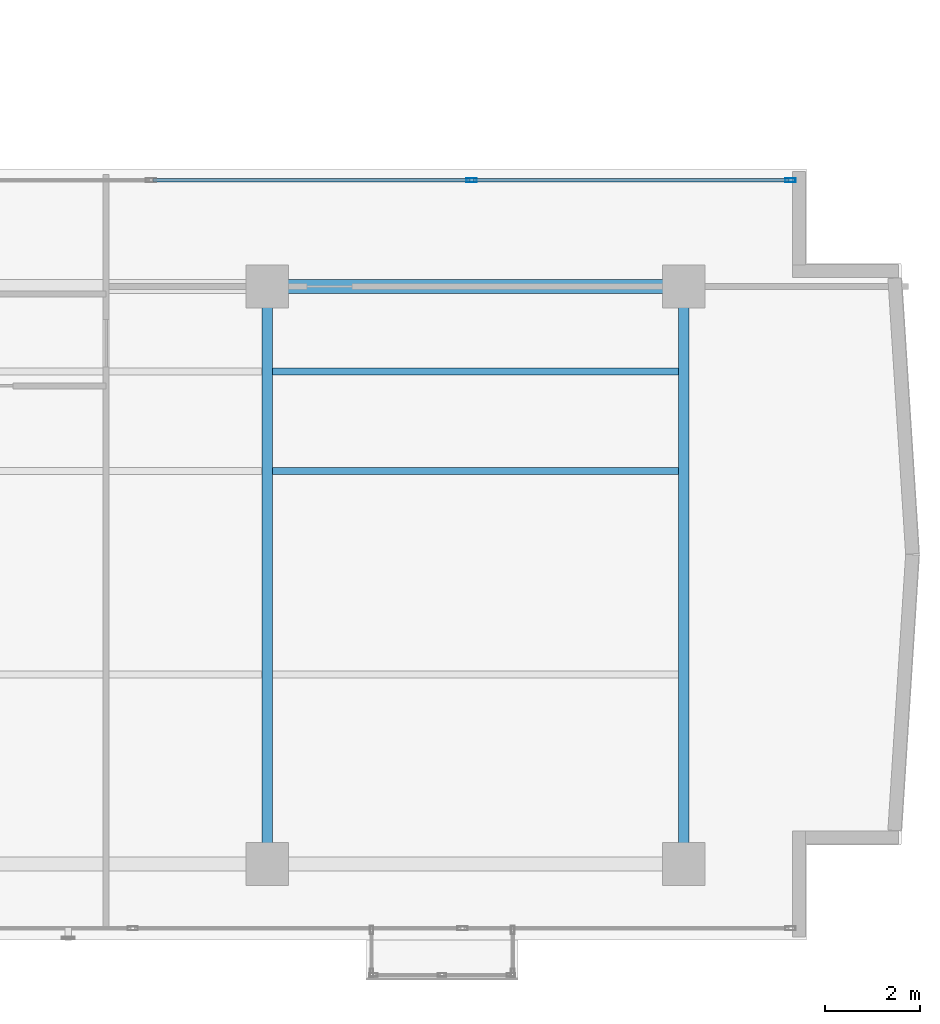
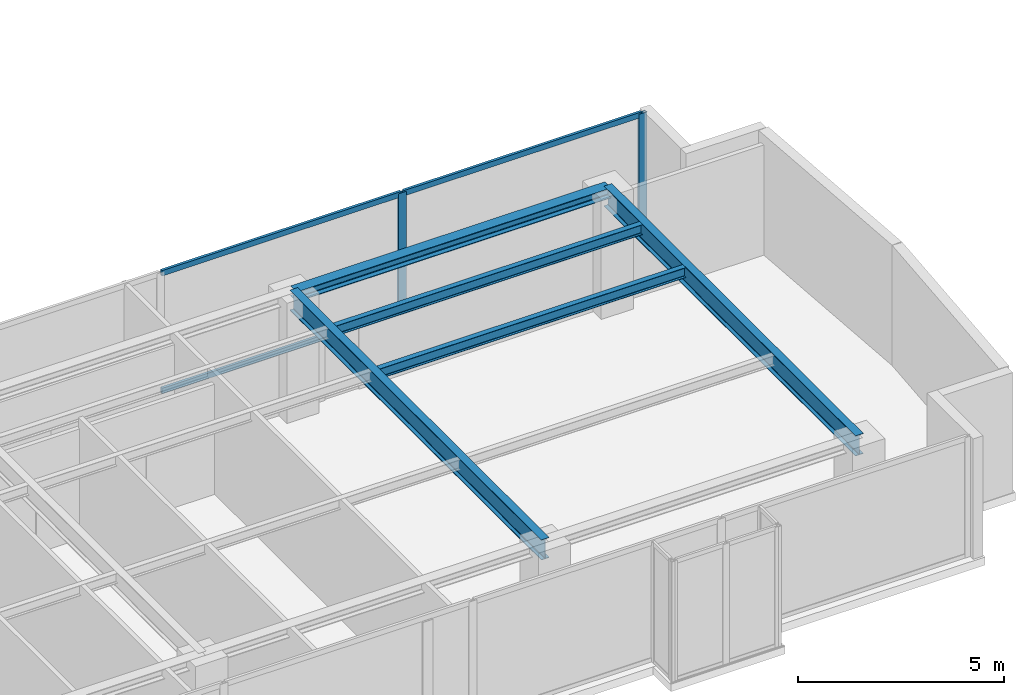
# One storey, part 11 of 23: 6 members, 5 beams, 1 element without a shape of its own.
"""IFC4 building model written with IfcOpenShell, lengths in metres."""

from ifc_helpers import new_model, si_unit, direction, frame, origin, origin_with_axes, origin_2d, place, context, subcontext, project, spatial, hollow_rectangle, i_section, extrude, source, transform, mapped, material, layer, layer_set, material_profile, profile_set, type_object, element, aggregate, save


model = new_model("IFC4")

# Units and contexts
model_context = context("Model", 3, precision=1e-05, world=origin(), true_north=direction((0.0, 1.0)))
body_context = subcontext(model_context, "Body", "Model", "MODEL_VIEW")
ifc_project = project(units=[si_unit("LENGTHUNIT", "METRE"), si_unit("AREAUNIT", "SQUARE_METRE"), si_unit("VOLUMEUNIT", "CUBIC_METRE"), si_unit("PLANEANGLEUNIT", "RADIAN"), si_unit("MASSUNIT", "GRAM", prefix="KILO")], contexts=[model_context])

# Site, building, storey
site_placement = place(None, origin())
site = spatial("IfcSite", under=ifc_project, at=site_placement, CompositionType="ELEMENT")
building_placement = place(site_placement, origin())
building = spatial("IfcBuilding", under=site, at=building_placement, Name="Kolvaren Waterfront Exchange", CompositionType="ELEMENT")
storey_placement = place(building_placement, frame((0.0, 0.0, 304.60009765625)))
storey = spatial("IfcBuildingStorey", under=building, at=storey_placement, Name="L78", CompositionType="ELEMENT", Elevation=304.60009765625)

# Beams
ifc_material_1 = material(Name="Steel S355", Category="steel")
ifc_material_profile_1 = material_profile(ifc_material_1, i_section(OverallWidth=0.300048828125, OverallDepth=0.300048828125, WebThickness=0.010986328125, FlangeThickness=0.01904296875, FilletRadius=0.027099609375, at=origin_2d()), Name="HEB300")
ifc_profile_set_1 = profile_set([ifc_material_profile_1], Name="Steel S355")
beam_type_1 = type_object("IfcBeamType", Name="STR-BM-HEB300", PredefinedType="SPANDREL", material=ifc_profile_set_1)
beam_placement = place(storey_placement, frame((36.800048828125, 17.39990234375, 3.409912109375), z_axis=(1.0, 0.0, 0.0), x_axis=(0.0, 1.0, 0.0)))
element("IfcBeam", 1, at=beam_placement, inside=storey, type_object=beam_type_1, Name="L78 east-arm spandrel N3", PredefinedType="SPANDREL", context=body_context, shape_type="SweptSolid", body=[
    extrude(i_section(OverallWidth=0.300048828125, OverallDepth=0.300048828125, WebThickness=0.010986328125, FlangeThickness=0.01904296875, FilletRadius=0.027099609375, at=origin_2d()), origin(), (0.0, 0.0, 1.0), 8.800048828125),
])
ifc_material_profile_2 = material_profile(ifc_material_1, i_section(OverallWidth=0.14990234375, OverallDepth=0.300048828125, WebThickness=0.007080078125, FlangeThickness=0.0107421875, FilletRadius=0.014892578125, at=origin_2d()), Name="IPE300")
ifc_profile_set_2 = profile_set([ifc_material_profile_2], Name="Steel S355")
beam_type_2 = type_object("IfcBeamType", Name="STR-BM-IPE300", PredefinedType="JOIST", material=ifc_profile_set_2)
for number, where, z_axis, x_axis, name in (
    (2, (36.912109375, 13.5, 3.409912109375), (1.0, 0.0, 0.0), (0.0, 1.0, 0.0), "L78 east-arm composite joist 3A"),
    (3, (36.912109375, 15.60009765625, 3.409912109375), (1.0, 0.0, 0.0), (0.0, 1.0, 0.0), "L78 east-arm composite joist 3C"),
):
    element("IfcBeam", number, at=place(storey_placement, frame(where, z_axis=z_axis, x_axis=x_axis)), inside=storey, type_object=beam_type_2, Name=name, PredefinedType="JOIST", context=body_context, shape_type="SweptSolid", body=[
        extrude(i_section(OverallWidth=0.14990234375, OverallDepth=0.300048828125, WebThickness=0.007080078125, FlangeThickness=0.0107421875, FilletRadius=0.014892578125, at=origin_2d()), origin(), (0.0, 0.0, 1.0), 8.575927734375),
    ])
ifc_material_profile_3 = material_profile(ifc_material_1, i_section(OverallWidth=0.219970703125, OverallDepth=0.60009765625, WebThickness=0.011962890625, FlangeThickness=0.01904296875, FilletRadius=0.02392578125, at=origin_2d()), Name="IPE600")
ifc_profile_set_3 = profile_set([ifc_material_profile_3], Name="Steel S355")
beam_type_3 = type_object("IfcBeamType", Name="STR-BM-IPE600", PredefinedType="BEAM", material=ifc_profile_set_3)
for number, where, z_axis, x_axis, name in (
    (4, (36.800048828125, 5.199951171875, 3.260009765625), (0.0, 1.0, 0.0), (-1.0, 0.0, 0.0), "L78 east-arm transverse girder X36"),
    (5, (45.60009765625, 5.199951171875, 3.260009765625), (0.0, 1.0, 0.0), (-1.0, 0.0, 0.0), "L78 east-arm transverse girder X45"),
):
    element("IfcBeam", number, at=place(storey_placement, frame(where, z_axis=z_axis, x_axis=x_axis)), inside=storey, type_object=beam_type_3, Name=name, PredefinedType="BEAM", context=body_context, shape_type="SweptSolid", body=[
        extrude(i_section(OverallWidth=0.219970703125, OverallDepth=0.60009765625, WebThickness=0.011962890625, FlangeThickness=0.01904296875, FilletRadius=0.02392578125, at=origin_2d()), origin(), (0.0, 0.0, 1.0), 12.199951171875),
    ])

# Curtain wall, members
ifc_material_2 = material(Name="Anodised bronze aluminium 6063-T6", Category="aluminium")
ifc_layer = layer(ifc_material_2, 0.219970703125, Name="Anodised bronze aluminium 6063-T6")
ifc_layer_set = layer_set([ifc_layer], Name="Anodised bronze aluminium 6063-T6")
curtain_wall_type = type_object("IfcCurtainWallType", Name="ARC-CW-SYS1", PredefinedType="USERDEFINED", material=ifc_layer_set)
curtain_wall_placement = place(storey_placement, origin())
curtain_wall = element("IfcCurtainWall", 6, at=curtain_wall_placement, inside=storey, type_object=curtain_wall_type, Name="L78 stick curtain wall CW1 (CW-L78-EN)", ObjectType="STICK CURTAIN WALL", PredefinedType="USERDEFINED")
ifc_material_3 = material(Name="Anodised aluminium 6063-T6", Category="aluminium")
ifc_material_profile_4 = material_profile(ifc_material_3, hollow_rectangle(XDim=0.080078125, YDim=0.219970703125, WallThickness=0.0048828125, at=origin_2d()), Name="ALU-MUL-220x80x5")
ifc_profile_set_4 = profile_set([ifc_material_profile_4], Name="Anodised aluminium 6063-T6")
member_type_1 = type_object("IfcMemberType", Name="ARC-CWM-220", PredefinedType="MULLION", material=ifc_profile_set_4)
shared_shape_1 = source(origin_with_axes(), body_context, "Body", "SweptSolid", [
    extrude(hollow_rectangle(XDim=0.080078125, YDim=0.219970703125, WallThickness=0.0048828125, at=origin_2d()), origin(), (0.0, 0.0, 1.0), 3.559814453125),
])
member_1_placement = place(storey_placement, frame((41.12109375, 19.644287109375, 0.0), z_axis=(0.0, 0.0, 1.0), x_axis=(0.0, 1.0, 0.0)))
member_1 = element("IfcMember", 7, at=member_1_placement, type_object=member_type_1, Name="CW1 mullion 3", PredefinedType="MULLION", context=body_context, shape_type="MappedRepresentation", body=[
    mapped(shared_shape_1, transform((0.0, 0.0, 0.0), x_axis=(1.0, 0.0, 0.0), y_axis=(0.0, 1.0, 0.0), z_axis=(0.0, 0.0, 1.0), scale=1.0)),
])
member_2_placement = place(storey_placement, frame((47.854736328125, 19.644287109375, 0.0), z_axis=(0.0, 0.0, 1.0), x_axis=(0.0, 1.0, 0.0)))
member_2 = element("IfcMember", 8, at=member_2_placement, type_object=member_type_1, Name="CW1 mullion 4", PredefinedType="MULLION", context=body_context, shape_type="MappedRepresentation", body=[
    mapped(shared_shape_1, transform((0.0, 0.0, 0.0), x_axis=(1.0, 0.0, 0.0), y_axis=(0.0, 1.0, 0.0), z_axis=(0.0, 0.0, 1.0), scale=1.0)),
])
ifc_material_profile_5 = material_profile(ifc_material_3, hollow_rectangle(XDim=0.074951171875, YDim=0.159912109375, WallThickness=0.00439453125, at=origin_2d()), Name="ALU-TRN-160x75x4.5")
ifc_profile_set_5 = profile_set([ifc_material_profile_5], Name="Anodised aluminium 6063-T6")
member_type_2 = type_object("IfcMemberType", Name="ARC-CWT-160", PredefinedType="USERDEFINED", material=ifc_profile_set_5)
shared_shape_2 = source(origin_with_axes(), body_context, "Body", "SweptSolid", [
    extrude(hollow_rectangle(XDim=0.074951171875, YDim=0.159912109375, WallThickness=0.00439453125, at=origin_2d()), origin(), (0.0, 0.0, 1.0), 6.693603515625),
])
member_3_placement = place(storey_placement, frame((34.3876953125, 19.644287109375, 0.037353515625), z_axis=(1.0, 0.0, 0.0), x_axis=(0.0, 1.0, 0.0)))
member_3 = element("IfcMember", 9, at=member_3_placement, type_object=member_type_2, Name="CW1 transom 2.1", ObjectType="TRANSOM", PredefinedType="USERDEFINED", context=body_context, shape_type="MappedRepresentation", body=[
    mapped(shared_shape_2, transform((0.0, 0.0, 0.0), x_axis=(1.0, 0.0, 0.0), y_axis=(0.0, 1.0, 0.0), z_axis=(0.0, 0.0, 1.0), scale=1.0)),
])
member_4_placement = place(storey_placement, frame((34.3876953125, 19.644287109375, 3.5224609375), z_axis=(1.0, 0.0, 0.0), x_axis=(0.0, 1.0, 0.0)))
member_4 = element("IfcMember", 10, at=member_4_placement, type_object=member_type_2, Name="CW1 transom 2.2", ObjectType="TRANSOM", PredefinedType="USERDEFINED", context=body_context, shape_type="MappedRepresentation", body=[
    mapped(shared_shape_2, transform((0.0, 0.0, 0.0), x_axis=(1.0, 0.0, 0.0), y_axis=(0.0, 1.0, 0.0), z_axis=(0.0, 0.0, 1.0), scale=1.0)),
])
shared_shape_3 = source(origin_with_axes(), body_context, "Body", "SweptSolid", [
    extrude(hollow_rectangle(XDim=0.074951171875, YDim=0.159912109375, WallThickness=0.00439453125, at=origin_2d()), origin(), (0.0, 0.0, 1.0), 6.653564453125),
])
member_5_placement = place(storey_placement, frame((41.1611328125, 19.644287109375, 0.037353515625), z_axis=(1.0, 0.0, 0.0), x_axis=(0.0, 1.0, 0.0)))
member_5 = element("IfcMember", 11, at=member_5_placement, type_object=member_type_2, Name="CW1 transom 3.1", ObjectType="TRANSOM", PredefinedType="USERDEFINED", context=body_context, shape_type="MappedRepresentation", body=[
    mapped(shared_shape_3, transform((0.0, 0.0, 0.0), x_axis=(1.0, 0.0, 0.0), y_axis=(0.0, 1.0, 0.0), z_axis=(0.0, 0.0, 1.0), scale=1.0)),
])
member_6_placement = place(storey_placement, frame((41.1611328125, 19.644287109375, 3.5224609375), z_axis=(1.0, 0.0, 0.0), x_axis=(0.0, 1.0, 0.0)))
member_6 = element("IfcMember", 12, at=member_6_placement, type_object=member_type_2, Name="CW1 transom 3.2", ObjectType="TRANSOM", PredefinedType="USERDEFINED", context=body_context, shape_type="MappedRepresentation", body=[
    mapped(shared_shape_3, transform((0.0, 0.0, 0.0), x_axis=(1.0, 0.0, 0.0), y_axis=(0.0, 1.0, 0.0), z_axis=(0.0, 0.0, 1.0), scale=1.0)),
])
aggregate(curtain_wall, [member_1, member_2, member_3, member_4, member_5, member_6])

save(model, "model.ifc")
